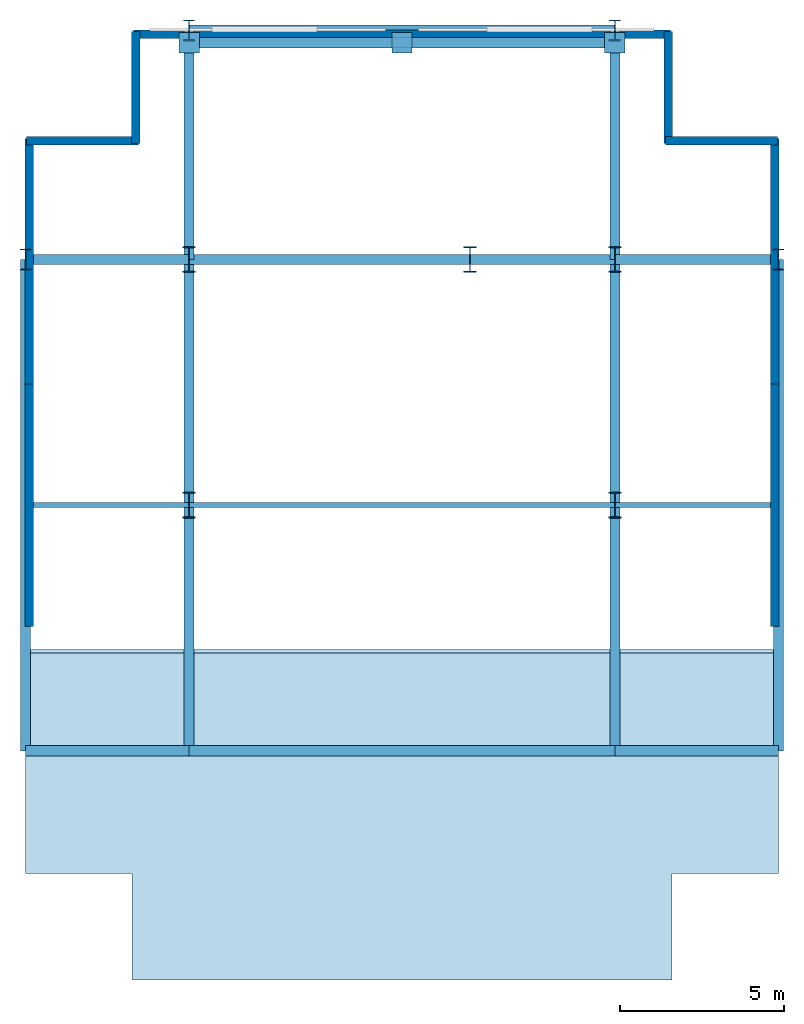
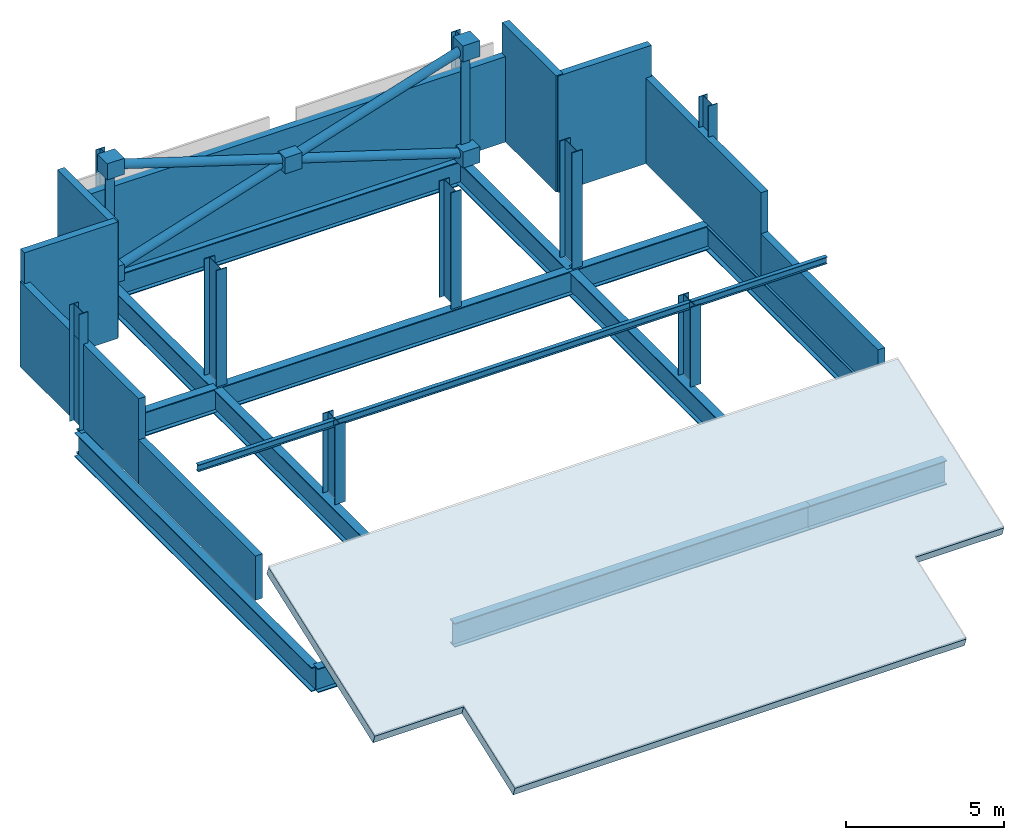
# One storey, part 1 of 2: 13 beams, 9 columns, 9 walls, 5 plates, 4 members, 1 slab.
"""IFC4 building model written with IfcOpenShell, lengths in metres."""

from ifc_helpers import new_model, si_unit, direction, frame, frame_2d, origin, origin_2d, place, context, subcontext, project, spatial, polyline, rectangle, hollow_circle, i_section, outline, extrude, material, layer, layer_set, material_profile, profile_set, type_object, element, save


model = new_model("IFC4")

# Units and contexts
model_context = context("Model", 3, precision=1e-05, world=origin(), true_north=direction((0.0, 1.0)))
body_context = subcontext(model_context, "Body", "Model", "MODEL_VIEW")
ifc_project = project(units=[si_unit("LENGTHUNIT", "METRE"), si_unit("AREAUNIT", "SQUARE_METRE"), si_unit("VOLUMEUNIT", "CUBIC_METRE"), si_unit("PLANEANGLEUNIT", "RADIAN"), si_unit("MASSUNIT", "GRAM", prefix="KILO")], contexts=[model_context])

# Site, building, storey
site_placement = place(None, origin())
site = spatial("IfcSite", under=ifc_project, at=site_placement, CompositionType="ELEMENT")
building_placement = place(site_placement, origin())
building = spatial("IfcBuilding", under=site, at=building_placement, Name="Barlavira Tower and Art Museum", CompositionType="ELEMENT")
storey_placement = place(building_placement, frame((0.0, 0.0, 323.39990234375)))
storey = spatial("IfcBuildingStorey", under=building, at=storey_placement, Name="L84", CompositionType="ELEMENT", Elevation=323.39990234375)

# Columns
ifc_material_1 = material(Name="Steel S355", Category="steel")
ifc_material_profile_1 = material_profile(ifc_material_1, i_section(OverallWidth=0.382080078125, OverallDepth=0.785888671875, WebThickness=0.02001953125, FlangeThickness=0.032958984375, at=origin_2d()), Name="W760x314.0")
ifc_profile_set_1 = profile_set([ifc_material_profile_1], Name="Steel S355")
column_type_1 = type_object("IfcColumnType", Name="Core Composite Column W760x314 Steel S355", PredefinedType="COLUMN", material=ifc_profile_set_1)
for number, where, z_axis, x_axis, name in (
    (1, (-6.5, 0.0, 0.0), (0.0, 0.0, 1.0), (1.0, 0.0, 0.0), "L84 Column CC-L84-C4"),
    (2, (6.5, 0.0, 0.0), (0.0, 0.0, 1.0), (1.0, 0.0, 0.0), "L84 Column CC-L84-C5"),
):
    element("IfcColumn", number, at=place(storey_placement, frame(where, z_axis=z_axis, x_axis=x_axis)), inside=storey, type_object=column_type_1, Name=name, PredefinedType="COLUMN", context=body_context, shape_type="SweptSolid", body=[
        extrude(i_section(OverallWidth=0.382080078125, OverallDepth=0.785888671875, WebThickness=0.02001953125, FlangeThickness=0.032958984375, at=origin_2d()), origin(), (0.0, 0.0, 1.0), 3.072509765625),
    ])
for number, where, z_axis, x_axis, name in (
    (3, (-6.5, 7.5, 0.0), (0.0, 0.0, 1.0), (1.0, 0.0, 0.0), "L84 Column CC-L84-C6"),
    (4, (2.080078125, 7.5, 0.0), (0.0, 0.0, 1.0), (1.0, 0.0, 0.0), "L84 Column CC-L84-C7"),
    (5, (6.5, 7.5, 0.0), (0.0, 0.0, 1.0), (1.0, 0.0, 0.0), "L84 Column CC-L84-C8"),
):
    element("IfcColumn", number, at=place(storey_placement, frame(where, z_axis=z_axis, x_axis=x_axis)), inside=storey, type_object=column_type_1, Name=name, PredefinedType="COLUMN", context=body_context, shape_type="SweptSolid", body=[
        extrude(i_section(OverallWidth=0.382080078125, OverallDepth=0.785888671875, WebThickness=0.02001953125, FlangeThickness=0.032958984375, at=origin_2d()), origin(), (0.0, 0.0, 1.0), 4.5),
    ])
ifc_material_profile_2 = material_profile(ifc_material_1, i_section(OverallWidth=0.327880859375, OverallDepth=0.62890625, WebThickness=0.013916015625, FlangeThickness=0.021484375, at=origin_2d()), Name="W610x174.0")
ifc_profile_set_2 = profile_set([ifc_material_profile_2], Name="Steel S355")
column_type_2 = type_object("IfcColumnType", Name="Crown Frame Column W610x174 Steel S355", PredefinedType="COLUMN", material=ifc_profile_set_2)
for number, where, z_axis, x_axis, name in (
    (6, (-11.5, 7.5, 0.0), (0.0, 0.0, 1.0), (1.0, 0.0, 0.0), "L84 Column CCR-L84-CRA"),
    (7, (11.5, 7.5, 0.0), (0.0, 0.0, 1.0), (1.0, 0.0, 0.0), "L84 Column CCR-L84-CRB"),
    (8, (-6.5, 14.5, 0.0), (0.0, 0.0, 1.0), (1.0, 0.0, 0.0), "L84 Column CCR-L84-CRE"),
    (9, (6.5, 14.5, 0.0), (0.0, 0.0, 1.0), (1.0, 0.0, 0.0), "L84 Column CCR-L84-CRG"),
):
    element("IfcColumn", number, at=place(storey_placement, frame(where, z_axis=z_axis, x_axis=x_axis)), inside=storey, type_object=column_type_2, Name=name, PredefinedType="COLUMN", context=body_context, shape_type="SweptSolid", body=[
        extrude(i_section(OverallWidth=0.327880859375, OverallDepth=0.62890625, WebThickness=0.013916015625, FlangeThickness=0.021484375, at=origin_2d()), origin(), (0.0, 0.0, 1.0), 4.5),
    ])

# Members
ifc_material_profile_3 = material_profile(ifc_material_1, hollow_circle(Radius=0.161865234375, WallThickness=0.01611328125, at=origin_2d()), Name="CHS 323.9x16.0")
ifc_profile_set_3 = profile_set([ifc_material_profile_3], Name="Steel S355")
member_type_1 = type_object("IfcMemberType", Name="Pale-Metal Crown Diagrid Tube CHS 324x16 Steel S355", PredefinedType="BRACE", material=ifc_profile_set_3)
member_1_placement = place(storey_placement, frame((-6.5, 14.1201171875, 0.2001953125), z_axis=(0.953696556146, 0.0, 0.300770475273), x_axis=(0.0, 1.0, 0.0)))
element("IfcMember", 10, at=member_1_placement, inside=storey, type_object=member_type_1, Name="L84 Chisel Crown Diagonal Brace 4", PredefinedType="BRACE", context=body_context, shape_type="SweptSolid", body=[
    extrude(hollow_circle(Radius=0.161865234375, WallThickness=0.01611328125, at=origin_2d()), origin(), (0.0, 0.0, 1.0), 13.631103515625),
])
member_2_placement = place(storey_placement, frame((6.5, 14.1201171875, 0.2001953125), z_axis=(-0.95370169354, 0.0, 0.300754184907), x_axis=(0.0, -1.0, 0.0)))
element("IfcMember", 11, at=member_2_placement, inside=storey, type_object=member_type_1, Name="L84 Chisel Crown Diagonal Brace 5", PredefinedType="BRACE", context=body_context, shape_type="SweptSolid", body=[
    extrude(hollow_circle(Radius=0.161865234375, WallThickness=0.01611328125, at=origin_2d()), origin(), (0.0, 0.0, 1.0), 6.8154296875),
])
member_3_placement = place(storey_placement, frame((0.0, 14.1201171875, 2.25), z_axis=(-0.953691418528, 0.0, 0.300786765376), x_axis=(0.0, -1.0, 0.0)))
element("IfcMember", 12, at=member_3_placement, inside=storey, type_object=member_type_1, Name="L84 Chisel Crown Diagonal Brace 6", PredefinedType="BRACE", context=body_context, shape_type="SweptSolid", body=[
    extrude(hollow_circle(Radius=0.161865234375, WallThickness=0.01611328125, at=origin_2d()), origin(), (0.0, 0.0, 1.0), 6.815673828125),
])

# Beams
ifc_material_profile_4 = material_profile(ifc_material_1, i_section(OverallWidth=0.30908203125, OverallDepth=0.931884765625, WebThickness=0.01953125, FlangeThickness=0.034423828125, at=origin_2d()), Name="W920x313.0")
ifc_profile_set_4 = profile_set([ifc_material_profile_4], Name="Steel S355")
beam_type = type_object("IfcBeamType", Name="Setback Ring Girder W920x313 Steel S355", PredefinedType="BEAM", material=ifc_profile_set_4)
beam_placement = place(storey_placement, frame((-6.5, 14.5, -0.7158203125), z_axis=(1.0, 0.0, 0.0), x_axis=(0.0, 1.0, 0.0)))
element("IfcBeam", 13, at=beam_placement, inside=storey, type_object=beam_type, Name="L84 Crown Ring Beam CN", PredefinedType="BEAM", context=body_context, shape_type="SweptSolid", body=[
    extrude(i_section(OverallWidth=0.30908203125, OverallDepth=0.931884765625, WebThickness=0.01953125, FlangeThickness=0.034423828125, at=origin_2d()), origin(), (0.0, 0.0, 1.0), 13.0),
])
for number, where, z_axis, x_axis, name in (
    (14, (-11.5, -7.5, -0.7158203125), (0.0, 1.0, 0.0), (-1.0, 0.0, 0.0), "L84 Crown Ring Beam CW1"),
    (15, (11.5, -7.5, -0.7158203125), (0.0, 1.0, 0.0), (-1.0, 0.0, 0.0), "L84 Crown Ring Beam CE1"),
):
    element("IfcBeam", number, at=place(storey_placement, frame(where, z_axis=z_axis, x_axis=x_axis)), inside=storey, type_object=beam_type, Name=name, PredefinedType="BEAM", context=body_context, shape_type="SweptSolid", body=[
        extrude(i_section(OverallWidth=0.30908203125, OverallDepth=0.931884765625, WebThickness=0.01953125, FlangeThickness=0.034423828125, at=origin_2d()), origin(), (0.0, 0.0, 1.0), 15.0),
    ])
for number, where, z_axis, x_axis, name in (
    (16, (-6.5, 7.5, -0.7158203125), (0.0, 1.0, 0.0), (-1.0, 0.0, 0.0), "L84 Crown Ring Beam CNL"),
    (17, (6.5, 7.5, -0.7158203125), (0.0, 1.0, 0.0), (-1.0, 0.0, 0.0), "L84 Crown Ring Beam CNR"),
):
    element("IfcBeam", number, at=place(storey_placement, frame(where, z_axis=z_axis, x_axis=x_axis)), inside=storey, type_object=beam_type, Name=name, PredefinedType="BEAM", context=body_context, shape_type="SweptSolid", body=[
        extrude(i_section(OverallWidth=0.30908203125, OverallDepth=0.931884765625, WebThickness=0.01953125, FlangeThickness=0.034423828125, at=origin_2d()), origin(), (0.0, 0.0, 1.0), 7.0),
    ])
for number, where, z_axis, x_axis, name in (
    (18, (-11.5, -7.5, -0.7158203125), (1.0, 0.0, 0.0), (0.0, 1.0, 0.0), "L84 Crown Ring Beam CWL"),
    (19, (-11.5, 7.5, -0.7158203125), (1.0, 0.0, 0.0), (0.0, 1.0, 0.0), "L84 Crown Ring Beam CWR"),
    (20, (6.5, -7.5, -0.7158203125), (1.0, 0.0, 0.0), (0.0, 1.0, 0.0), "L84 Crown Ring Beam CEL"),
    (21, (6.5, 7.5, -0.7158203125), (1.0, 0.0, 0.0), (0.0, 1.0, 0.0), "L84 Crown Ring Beam CER"),
):
    element("IfcBeam", number, at=place(storey_placement, frame(where, z_axis=z_axis, x_axis=x_axis)), inside=storey, type_object=beam_type, Name=name, PredefinedType="BEAM", context=body_context, shape_type="SweptSolid", body=[
        extrude(i_section(OverallWidth=0.30908203125, OverallDepth=0.931884765625, WebThickness=0.01953125, FlangeThickness=0.034423828125, at=origin_2d()), origin(), (0.0, 0.0, 1.0), 5.0),
    ])
for number, where, z_axis, x_axis, name in (
    (22, (-6.5, -7.5, -0.7158203125), (1.0, 0.0, 0.0), (0.0, 1.0, 0.0), "L84 Crown Ring Beam CI1"),
    (23, (-6.5, 7.5, -0.7158203125), (1.0, 0.0, 0.0), (0.0, 1.0, 0.0), "L84 Crown Ring Beam CI2"),
):
    element("IfcBeam", number, at=place(storey_placement, frame(where, z_axis=z_axis, x_axis=x_axis)), inside=storey, type_object=beam_type, Name=name, PredefinedType="BEAM", context=body_context, shape_type="SweptSolid", body=[
        extrude(i_section(OverallWidth=0.30908203125, OverallDepth=0.931884765625, WebThickness=0.01953125, FlangeThickness=0.034423828125, at=origin_2d()), origin(), (0.0, 0.0, 1.0), 13.0),
    ])
for number, where, z_axis, x_axis, name in (
    (24, (-6.5, -7.5, -0.7158203125), (0.0, 1.0, 0.0), (-1.0, 0.0, 0.0), "L84 Crown Ring Beam CI3"),
    (25, (6.5, -7.5, -0.7158203125), (0.0, 1.0, 0.0), (-1.0, 0.0, 0.0), "L84 Crown Ring Beam CI4"),
):
    element("IfcBeam", number, at=place(storey_placement, frame(where, z_axis=z_axis, x_axis=x_axis)), inside=storey, type_object=beam_type, Name=name, PredefinedType="BEAM", context=body_context, shape_type="SweptSolid", body=[
        extrude(i_section(OverallWidth=0.30908203125, OverallDepth=0.931884765625, WebThickness=0.01953125, FlangeThickness=0.034423828125, at=origin_2d()), origin(), (0.0, 0.0, 1.0), 15.0),
    ])

# Member
ifc_material_profile_5 = material_profile(ifc_material_1, i_section(OverallWidth=0.14794921875, OverallDepth=0.26611328125, WebThickness=0.007568359375, FlangeThickness=0.012939453125, at=origin_2d()), Name="W250x44.8")
ifc_profile_set_5 = profile_set([ifc_material_profile_5], Name="Steel S355")
member_type_2 = type_object("IfcMemberType", Name="Sloped Chisel Roof Purlin W250x44.8 Steel S355", PredefinedType="PURLIN", material=ifc_profile_set_5)
member_4_placement = place(storey_placement, frame((-11.5, 0.0, 2.888427734375), z_axis=(1.0, 0.0, 0.0), x_axis=(0.0, 1.0, 0.0)))
element("IfcMember", 26, at=member_4_placement, inside=storey, type_object=member_type_2, Name="Chisel Roof Purlin 3", PredefinedType="PURLIN", context=body_context, shape_type="SweptSolid", body=[
    extrude(i_section(OverallWidth=0.14794921875, OverallDepth=0.26611328125, WebThickness=0.007568359375, FlangeThickness=0.012939453125, at=origin_2d()), origin(), (0.0, 0.0, 1.0), 23.0),
])

# Slab
ifc_material_2 = material(Name="Precast concrete C50", Category="concrete")
ifc_layer_1 = layer(ifc_material_2, 0.35009765625, Name="Precast concrete C50")
ifc_layer_set_1 = layer_set([ifc_layer_1], Name="Precast concrete C50")
slab_type = type_object("IfcSlabType", Name="Chisel Crown Sloped Roof Slab 350 Precast Concrete C50", PredefinedType="ROOF", material=ifc_layer_set_1)
slab_placement = place(storey_placement, frame((-8.25, -14.5, -1.85498046875), z_axis=(0.0, -0.342012839628, 0.939695279082), x_axis=(1.0, 0.0, 0.0)))
element("IfcSlab", 27, at=slab_placement, inside=storey, type_object=slab_type, Name="L84 Low-South Sloped Chisel Roof Slab", PredefinedType="ROOF", context=body_context, shape_type="SweptSolid", body=[
    extrude(outline(polyline([(0.0, 0.0), (16.5, 0.0), (16.5, 3.458563418735706), (19.75, 3.458563418735706), (19.75, 10.620442052322339), (-3.25, 10.620442052322339), (-3.25, 3.458563418735706), (0.0, 3.458563418735706), (0.0, 0.0)])), origin(), (0.0, 0.0, -1.0), 0.35009765625),
])

# Plates
ifc_layer_2 = layer(ifc_material_1, 0.6201171875, Name="Steel S355")
ifc_layer_set_2 = layer_set([ifc_layer_2], Name="Steel S355")
plate_type = type_object("IfcPlateType", Name="Crown Canopy Solid Steel Node Cap Plate Assembly Type 6 Steel S355", PredefinedType="USERDEFINED", material=ifc_layer_set_2)
for number, where, z_axis, x_axis, name in (
    (28, (-6.5, 14.1201171875, -0.10986328125), (0.0, 0.0, 1.0), (1.0, 0.0, 0.0), "L84 Crown X-Brace Node ND-L84-0934"),
    (29, (6.5, 14.1201171875, -0.10986328125), (0.0, 0.0, 1.0), (1.0, 0.0, 0.0), "L84 Crown X-Brace Node ND-L84-0935"),
    (30, (-6.5, 14.1201171875, 3.989990234375), (0.0, 0.0, 1.0), (1.0, 0.0, 0.0), "L84 Crown X-Brace Node ND-L84-0936"),
    (31, (6.5, 14.1201171875, 3.989990234375), (0.0, 0.0, 1.0), (1.0, 0.0, 0.0), "L84 Crown X-Brace Node ND-L84-0937"),
    (32, (0.0, 14.1201171875, 1.93994140625), (0.0, 0.0, 1.0), (1.0, 0.0, 0.0), "L84 Crown X-Brace Node ND-L84-0938"),
):
    element("IfcPlate", number, at=place(storey_placement, frame(where, z_axis=z_axis, x_axis=x_axis)), inside=storey, type_object=plate_type, Name=name, ObjectType="FLANGE_PLATE", PredefinedType="USERDEFINED", context=body_context, shape_type="SweptSolid", body=[
        extrude(rectangle(XDim=0.6201171875, YDim=0.6201171875, at=origin_2d()), origin(), (0.0, 0.0, 1.0), 0.6201171875),
    ])

# Walls
ifc_material_3 = material(Name="Architectural white precast concrete C40", Category="concrete")
ifc_layer_3 = layer(ifc_material_3, 0.260009765625, Name="Architectural white precast concrete C40")
ifc_layer_set_3 = layer_set([ifc_layer_3], Name="Architectural white precast concrete C40")
wall_type = type_object("IfcWallType", Name="Crown Architectural White Precast Wall 260 Concrete C40", PredefinedType="SOLIDWALL", material=ifc_layer_set_3)
wall_1_placement = place(storey_placement, frame((8.199951171875, 14.3798828125, 0.0), z_axis=(0.0, 0.0, 1.0), x_axis=(-1.0, 0.0, 0.0)))
element("IfcWall", 33, at=wall_1_placement, inside=storey, type_object=wall_type, Name="L84 Chisel Tall-North White Precast Wall", PredefinedType="SOLIDWALL", context=body_context, shape_type="SweptSolid", body=[
    extrude(rectangle(XDim=16.39990234375, YDim=0.260009765625, at=frame_2d((8.199951171875, 0.0))), origin(), (0.0, 0.0, 1.0), 3.302978515625),
])
wall_2_placement = place(storey_placement, frame((-11.3798828125, 3.699951171875, 0.0), z_axis=(0.0, 0.0, 1.0), x_axis=(0.0, -1.0, 0.0)))
element("IfcWall", 34, at=wall_2_placement, inside=storey, type_object=wall_type, Name="L84 Chisel W White Precast Wall 2", PredefinedType="SOLIDWALL", context=body_context, shape_type="SweptSolid", body=[
    extrude(rectangle(XDim=7.39990234375, YDim=0.260009765625, at=frame_2d((3.699951171875, 0.0))), origin(), (0.0, 0.0, 1.0), 1.7158203125),
])
wall_3_placement = place(storey_placement, frame((-11.3798828125, 11.199951171875, 0.0), z_axis=(0.0, 0.0, 1.0), x_axis=(0.0, -1.0, 0.0)))
element("IfcWall", 35, at=wall_3_placement, inside=storey, type_object=wall_type, Name="L84 Chisel W White Precast Wall 3", PredefinedType="SOLIDWALL", context=body_context, shape_type="SweptSolid", body=[
    extrude(rectangle(XDim=7.5, YDim=0.260009765625, at=frame_2d((3.75, 0.0))), origin(), (0.0, 0.0, 1.0), 3.302978515625),
])
wall_4_placement = place(storey_placement, frame((11.3798828125, -3.699951171875, 0.0), z_axis=(0.0, 0.0, 1.0), x_axis=(0.0, 1.0, 0.0)))
element("IfcWall", 36, at=wall_4_placement, inside=storey, type_object=wall_type, Name="L84 Chisel E White Precast Wall 2", PredefinedType="SOLIDWALL", context=body_context, shape_type="SweptSolid", body=[
    extrude(rectangle(XDim=7.39990234375, YDim=0.260009765625, at=frame_2d((3.699951171875, 0.0))), origin(), (0.0, 0.0, 1.0), 1.7158203125),
])
wall_5_placement = place(storey_placement, frame((11.3798828125, 3.699951171875, 0.0), z_axis=(0.0, 0.0, 1.0), x_axis=(0.0, 1.0, 0.0)))
element("IfcWall", 37, at=wall_5_placement, inside=storey, type_object=wall_type, Name="L84 Chisel E White Precast Wall 3", PredefinedType="SOLIDWALL", context=body_context, shape_type="SweptSolid", body=[
    extrude(rectangle(XDim=7.5, YDim=0.260009765625, at=frame_2d((3.75, 0.0))), origin(), (0.0, 0.0, 1.0), 3.302978515625),
])
for number, where, z_axis, x_axis, name in (
    (38, (11.4599609375, 11.1298828125, 0.0), (0.0, 0.0, 1.0), (-1.0, 0.0, 0.0), "L84 Crown Notch White Precast Wall NE1"),
    (39, (8.1298828125, 11.050048828125, 0.0), (0.0, 0.0, 1.0), (0.0, 1.0, 0.0), "L84 Crown Notch White Precast Wall NE2"),
    (40, (-8.1298828125, 14.4599609375, 0.0), (0.0, 0.0, 1.0), (0.0, -1.0, 0.0), "L84 Crown Notch White Precast Wall NW1"),
    (41, (-8.050048828125, 11.1298828125, 0.0), (0.0, 0.0, 1.0), (-1.0, 0.0, 0.0), "L84 Crown Notch White Precast Wall NW2"),
):
    element("IfcWall", number, at=place(storey_placement, frame(where, z_axis=z_axis, x_axis=x_axis)), inside=storey, type_object=wall_type, Name=name, PredefinedType="SOLIDWALL", context=body_context, shape_type="SweptSolid", body=[
        extrude(rectangle(XDim=3.409912109375, YDim=0.260009765625, at=frame_2d((1.705078125, 0.0))), origin(), (0.0, 0.0, 1.0), 4.5),
    ])

save(model, "model.ifc")
